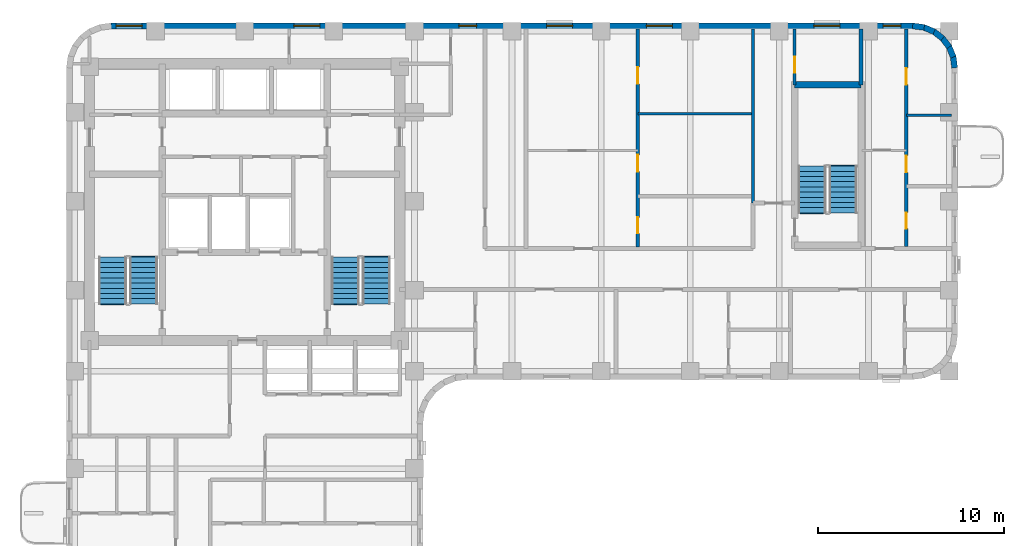
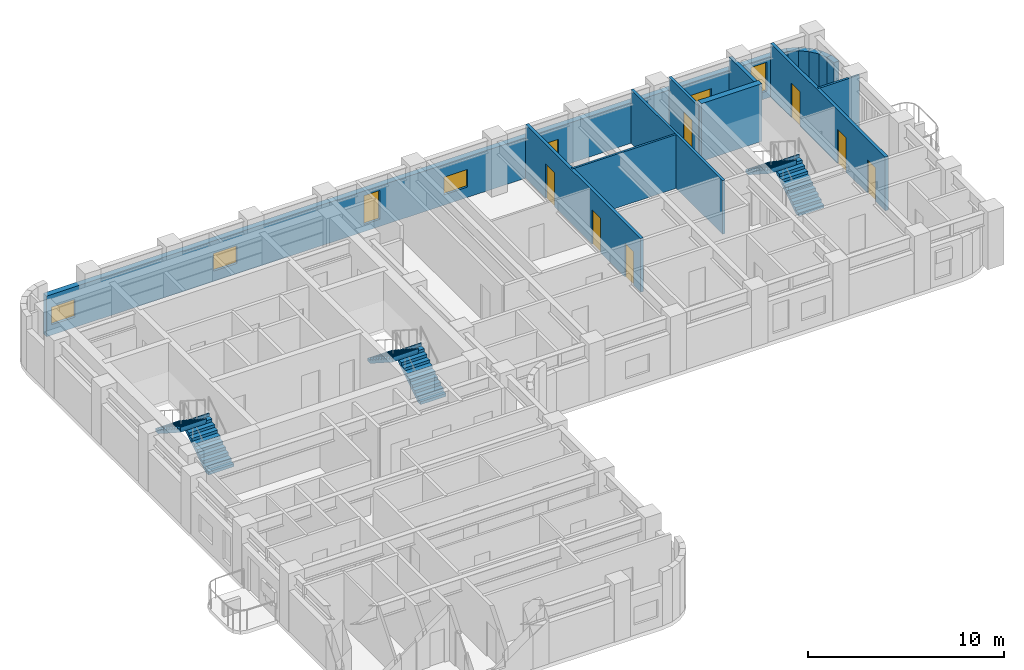
# One storey, part 7 of 9: 15 walls, 7 doors, 7 windows, 6 stair flights, 14 openings, 3 elements without a shape of their own.
"""IFC4 building model written with IfcOpenShell, lengths in metres."""

from ifc_helpers import new_model, si_unit, direction, frame, frame_2d, origin, place, context, subcontext, project, spatial, polyline, rectangle, outline, extrude, material, layer, layer_set, type_object, element, fill, aggregate, save


model = new_model("IFC4")

# Units and contexts
model_context = context("Model", 3, precision=1e-05, world=origin(), true_north=direction((0.0, 1.0)))
body_context = subcontext(model_context, "Body", "Model", "MODEL_VIEW")
ifc_project = project(units=[si_unit("LENGTHUNIT", "METRE"), si_unit("AREAUNIT", "SQUARE_METRE"), si_unit("VOLUMEUNIT", "CUBIC_METRE"), si_unit("PLANEANGLEUNIT", "RADIAN"), si_unit("MASSUNIT", "GRAM", prefix="KILO")], contexts=[model_context])

# Site, building, storey
site_placement = place(None, origin())
site = spatial("IfcSite", under=ifc_project, at=site_placement, CompositionType="ELEMENT")
building_placement = place(site_placement, origin())
building = spatial("IfcBuilding", under=site, at=building_placement, Name="Orvandelia Arch Residences", CompositionType="ELEMENT")
storey_placement = place(building_placement, frame((0.0, 0.0, 128.800048828125)))
storey = spatial("IfcBuildingStorey", under=building, at=storey_placement, Name="L33", CompositionType="ELEMENT", Elevation=128.800048828125)

# Walls
ifc_material_1 = material(Name="Concrete C50/60", Category="concrete")
ifc_layer_1 = layer(ifc_material_1, 0.35009765625, Name="Concrete C50/60", Category="concrete")
ifc_layer_set_1 = layer_set([ifc_layer_1], Name="Concrete C50/60")
wall_type_1 = type_object("IfcWallType", Name="WL-CORE-350", PredefinedType="SHEAR", material=ifc_layer_set_1)
wall_1_placement = place(storey_placement, frame((44.02001953125, 44.659912109375, 0.0), z_axis=(0.0, 0.0, 1.0), x_axis=(1.0, 0.0, 0.0)))
element("IfcWall", 1, at=wall_1_placement, inside=storey, type_object=wall_type_1, Name="East Stair Core Shear Wall L33-N", PredefinedType="SHEAR", context=body_context, shape_type="SweptSolid", body=[
    extrude(rectangle(XDim=3.580078125, YDim=0.35009765625, at=frame_2d((1.7900390625, 0.0))), origin(), (0.0, 0.0, 1.0), 3.599853515625),
])
ifc_material_2 = material(Name="Concrete C40/50", Category="concrete")
ifc_layer_2 = layer(ifc_material_2, 0.199951171875, Name="Concrete C40/50", Category="concrete")
ifc_layer_set_2 = layer_set([ifc_layer_2], Name="Concrete C40/50")
wall_type_2 = type_object("IfcWallType", Name="WL-DEM-200", PredefinedType="SOLIDWALL", material=ifc_layer_set_2)
wall_2_placement = place(storey_placement, frame((47.60009765625, 44.659912109375, 0.0), z_axis=(0.0, 0.0, 1.0), x_axis=(0.0, 1.0, 0.0)))
element("IfcWall", 2, at=wall_2_placement, inside=storey, type_object=wall_type_2, Name="Interior Partition Wall WL-L33-ES-NST3E", PredefinedType="SOLIDWALL", context=body_context, shape_type="SweptSolid", body=[
    extrude(rectangle(XDim=3.02001953125, YDim=0.199951171875, at=frame_2d((1.510009765625, 0.0))), origin(), (0.0, 0.0, 1.0), 3.35986328125),
])

# Wall, openings, windows
ifc_material_3 = material(Name="Precast concrete C40/50", Category="concrete")
ifc_layer_3 = layer(ifc_material_3, 0.320068359375, Name="Precast concrete C40/50", Category="concrete")
ifc_layer_set_3 = layer_set([ifc_layer_3], Name="Precast concrete C40/50")
wall_type_3 = type_object("IfcWallType", Name="WL-EXT-STONE-320", PredefinedType="STANDARD", material=ifc_layer_set_3)
wall_3_placement = place(storey_placement, frame((7.199951171875, 47.840087890625, 0.0), z_axis=(0.0, 0.0, 1.0), x_axis=(1.0, 0.0, 0.0)))
wall_3 = element("IfcWall", 3, at=wall_3_placement, inside=storey, type_object=wall_type_3, Name="Coral-Limestone Precast Facade Wall L33-007", PredefinedType="STANDARD", context=body_context, shape_type="SweptSolid", body=[
    extrude(rectangle(XDim=43.199951171875, YDim=0.320068359375, at=frame_2d((21.60009765625, 0.0))), origin(), (0.0, 0.0, 1.0), 2.5400390625),
])
opening_1_placement = place(wall_3_placement, frame((28.841064453125, 0.0, 0.64990234375)))
opening_1 = element("IfcOpeningElement", 4, at=opening_1_placement, cuts=wall_3, Name="Opening W10", PredefinedType="OPENING", context=body_context, shape_type="SweptSolid", body=[
    extrude(rectangle(XDim=1.39990234375, YDim=1.10009765625, at=frame_2d((0.699951171875, 0.550048828125))), frame((0.0, 0.169921875, 0.0), z_axis=(0.0, -1.0, 0.0), x_axis=(1.0, 0.0, 0.0)), (0.0, 0.0, 1.0), 0.340087890625),
])
opening_2_placement = place(wall_3_placement, frame((18.739990234375, 0.0, 0.449951171875)))
opening_2 = element("IfcOpeningElement", 5, at=opening_2_placement, cuts=wall_3, Name="Opening W4", PredefinedType="OPENING", context=body_context, shape_type="SweptSolid", body=[
    extrude(rectangle(XDim=0.949951171875, YDim=1.800048828125, at=frame_2d((0.47509765625, 0.89990234375))), frame((0.0, 0.169921875, 0.0), z_axis=(0.0, -1.0, 0.0), x_axis=(1.0, 0.0, 0.0)), (0.0, 0.0, 1.0), 0.340087890625),
])
opening_3_placement = place(wall_3_placement, frame((37.862548828125, 0.0, 0.64990234375)))
opening_3 = element("IfcOpeningElement", 6, at=opening_3_placement, cuts=wall_3, Name="Opening W10", PredefinedType="OPENING", context=body_context, shape_type="SweptSolid", body=[
    extrude(rectangle(XDim=1.39990234375, YDim=1.10009765625, at=frame_2d((0.699951171875, 0.550048828125))), frame((0.0, 0.169921875, 0.0), z_axis=(0.0, -1.0, 0.0), x_axis=(1.0, 0.0, 0.0)), (0.0, 0.0, 1.0), 0.340087890625),
])
opening_4_placement = place(wall_3_placement, frame((0.282470703125, 0.0, 0.64990234375)))
opening_4 = element("IfcOpeningElement", 7, at=opening_4_placement, cuts=wall_3, Name="Opening W10", PredefinedType="OPENING", context=body_context, shape_type="SweptSolid", body=[
    extrude(rectangle(XDim=1.39990234375, YDim=1.10009765625, at=frame_2d((0.699951171875, 0.550048828125))), frame((0.0, 0.169921875, 0.0), z_axis=(0.0, -1.0, 0.0), x_axis=(1.0, 0.0, 0.0)), (0.0, 0.0, 1.0), 0.340087890625),
])
opening_5_placement = place(wall_3_placement, frame((9.8525390625, 0.0, 0.64990234375)))
opening_5 = element("IfcOpeningElement", 8, at=opening_5_placement, cuts=wall_3, Name="Opening W10", PredefinedType="OPENING", context=body_context, shape_type="SweptSolid", body=[
    extrude(rectangle(XDim=1.39990234375, YDim=1.10009765625, at=frame_2d((0.699951171875, 0.550048828125))), frame((0.0, 0.169921875, 0.0), z_axis=(0.0, -1.0, 0.0), x_axis=(1.0, 0.0, 0.0)), (0.0, 0.0, 1.0), 0.340087890625),
])
opening_6_placement = place(wall_3_placement, frame((23.467529296875, 0.0, 0.64990234375)))
opening_6 = element("IfcOpeningElement", 9, at=opening_6_placement, cuts=wall_3, Name="Opening W10", PredefinedType="OPENING", context=body_context, shape_type="SweptSolid", body=[
    extrude(rectangle(XDim=1.39990234375, YDim=1.10009765625, at=frame_2d((0.699951171875, 0.550048828125))), frame((0.0, 0.169921875, 0.0), z_axis=(0.0, -1.0, 0.0), x_axis=(1.0, 0.0, 0.0)), (0.0, 0.0, 1.0), 0.340087890625),
])
opening_7_placement = place(wall_3_placement, frame((41.593994140625, 0.0, 0.449951171875)))
opening_7 = element("IfcOpeningElement", 10, at=opening_7_placement, cuts=wall_3, Name="Opening W4", PredefinedType="OPENING", context=body_context, shape_type="SweptSolid", body=[
    extrude(rectangle(XDim=0.949951171875, YDim=1.800048828125, at=frame_2d((0.47509765625, 0.89990234375))), frame((0.0, 0.169921875, 0.0), z_axis=(0.0, -1.0, 0.0), x_axis=(1.0, 0.0, 0.0)), (0.0, 0.0, 1.0), 0.340087890625),
])
ifc_material_4 = material(Name="Tempered Low-E Insulated Glazing", Category="glass")
window_type_1 = type_object("IfcWindowType", Name="WIN-CLR-1400x1100", PartitioningType="SINGLE_PANEL", PredefinedType="WINDOW", material=ifc_material_4)
window_1_placement = place(opening_1_placement, origin())
window_1 = element("IfcWindow", 11, at=window_1_placement, inside=storey, type_object=window_type_1, Name="Recessed Punched Window L33-001", OverallHeight=1.10009765625, OverallWidth=1.39990234375, PartitioningType="SINGLE_PANEL", PredefinedType="WINDOW", context=body_context, shape_type="SweptSolid", body=[
    extrude(rectangle(XDim=1.39990234375, YDim=1.10009765625, at=frame_2d((0.699951171875, 0.550048828125))), frame((0.0, 0.030029296875, 0.0), z_axis=(0.0, -1.0, 0.0), x_axis=(1.0, 0.0, 0.0)), (0.0, 0.0, 1.0), 0.06005859375),
])
fill(opening_1, window_1)
window_2_placement = place(opening_3_placement, origin())
window_2 = element("IfcWindow", 12, at=window_2_placement, inside=storey, type_object=window_type_1, Name="Recessed Punched Window L33-003", OverallHeight=1.10009765625, OverallWidth=1.39990234375, PartitioningType="SINGLE_PANEL", PredefinedType="WINDOW", context=body_context, shape_type="SweptSolid", body=[
    extrude(rectangle(XDim=1.39990234375, YDim=1.10009765625, at=frame_2d((0.699951171875, 0.550048828125))), frame((0.0, 0.030029296875, 0.0), z_axis=(0.0, -1.0, 0.0), x_axis=(1.0, 0.0, 0.0)), (0.0, 0.0, 1.0), 0.06005859375),
])
fill(opening_3, window_2)
window_3_placement = place(opening_4_placement, origin())
window_3 = element("IfcWindow", 13, at=window_3_placement, inside=storey, type_object=window_type_1, Name="Recessed Punched Window L33-004", OverallHeight=1.10009765625, OverallWidth=1.39990234375, PartitioningType="SINGLE_PANEL", PredefinedType="WINDOW", context=body_context, shape_type="SweptSolid", body=[
    extrude(rectangle(XDim=1.39990234375, YDim=1.10009765625, at=frame_2d((0.699951171875, 0.550048828125))), frame((0.0, 0.030029296875, 0.0), z_axis=(0.0, -1.0, 0.0), x_axis=(1.0, 0.0, 0.0)), (0.0, 0.0, 1.0), 0.06005859375),
])
fill(opening_4, window_3)
window_4_placement = place(opening_5_placement, origin())
window_4 = element("IfcWindow", 14, at=window_4_placement, inside=storey, type_object=window_type_1, Name="Recessed Punched Window L33-005", OverallHeight=1.10009765625, OverallWidth=1.39990234375, PartitioningType="SINGLE_PANEL", PredefinedType="WINDOW", context=body_context, shape_type="SweptSolid", body=[
    extrude(rectangle(XDim=1.39990234375, YDim=1.10009765625, at=frame_2d((0.699951171875, 0.550048828125))), frame((0.0, 0.030029296875, 0.0), z_axis=(0.0, -1.0, 0.0), x_axis=(1.0, 0.0, 0.0)), (0.0, 0.0, 1.0), 0.06005859375),
])
fill(opening_5, window_4)
window_5_placement = place(opening_6_placement, origin())
window_5 = element("IfcWindow", 15, at=window_5_placement, inside=storey, type_object=window_type_1, Name="Recessed Punched Window L33-006", OverallHeight=1.10009765625, OverallWidth=1.39990234375, PartitioningType="SINGLE_PANEL", PredefinedType="WINDOW", context=body_context, shape_type="SweptSolid", body=[
    extrude(rectangle(XDim=1.39990234375, YDim=1.10009765625, at=frame_2d((0.699951171875, 0.550048828125))), frame((0.0, 0.030029296875, 0.0), z_axis=(0.0, -1.0, 0.0), x_axis=(1.0, 0.0, 0.0)), (0.0, 0.0, 1.0), 0.06005859375),
])
fill(opening_6, window_5)
window_type_2 = type_object("IfcWindowType", Name="WIN-RES-0950x1800", PartitioningType="SINGLE_PANEL", PredefinedType="WINDOW", material=ifc_material_4)
window_6_placement = place(opening_2_placement, origin())
window_6 = element("IfcWindow", 16, at=window_6_placement, inside=storey, type_object=window_type_2, Name="Recessed Punched Window L33-002", OverallHeight=1.800048828125, OverallWidth=0.949951171875, PartitioningType="SINGLE_PANEL", PredefinedType="WINDOW", context=body_context, shape_type="SweptSolid", body=[
    extrude(rectangle(XDim=0.949951171875, YDim=1.800048828125, at=frame_2d((0.47509765625, 0.89990234375))), frame((0.0, 0.030029296875, 0.0), z_axis=(0.0, -1.0, 0.0), x_axis=(1.0, 0.0, 0.0)), (0.0, 0.0, 1.0), 0.06005859375),
])
fill(opening_2, window_6)
window_7_placement = place(opening_7_placement, origin())
window_7 = element("IfcWindow", 17, at=window_7_placement, inside=storey, type_object=window_type_2, Name="Recessed Punched Window L33-007", OverallHeight=1.800048828125, OverallWidth=0.949951171875, PartitioningType="SINGLE_PANEL", PredefinedType="WINDOW", context=body_context, shape_type="SweptSolid", body=[
    extrude(rectangle(XDim=0.949951171875, YDim=1.800048828125, at=frame_2d((0.47509765625, 0.89990234375))), frame((0.0, 0.030029296875, 0.0), z_axis=(0.0, -1.0, 0.0), x_axis=(1.0, 0.0, 0.0)), (0.0, 0.0, 1.0), 0.06005859375),
])
fill(opening_7, window_7)

# Walls
for number, where, z_axis, x_axis, name in (
    (18, (50.379150390625, 47.84130859375, 0.0), (0.0, 0.0, 1.0), (0.9914410257, -0.130555323746, 0.0), "Coral-Limestone Precast Facade Wall L33-008"),
    (19, (50.9599609375, 47.7705078125, 0.0), (0.0, 0.0, 1.0), (0.92389335771, -0.382650053678, 0.0), "Coral-Limestone Precast Facade Wall L33-009"),
    (20, (51.502685546875, 47.551513671875, 0.0), (0.0, 0.0, 1.0), (0.793405610854, -0.608693302629, 0.0), "Coral-Limestone Precast Facade Wall L33-010"),
    (21, (51.97021484375, 47.19970703125, 0.0), (0.0, 0.0, 1.0), (0.608693302629, -0.793405610854, 0.0), "Coral-Limestone Precast Facade Wall L33-011"),
    (22, (52.330810546875, 46.73876953125, 0.0), (0.0, 0.0, 1.0), (0.382317370307, -0.924031075431, 0.0), "Coral-Limestone Precast Facade Wall L33-012"),
    (23, (52.5595703125, 46.2001953125, 0.0), (0.0, 0.0, 1.0), (0.130555323746, -0.9914410257, 0.0), "Coral-Limestone Precast Facade Wall L33-013"),
):
    element("IfcWall", number, at=place(storey_placement, frame(where, z_axis=z_axis, x_axis=x_axis)), inside=storey, type_object=wall_type_3, Name=name, PredefinedType="STANDARD", context=body_context, shape_type="SweptSolid", body=[
        extrude(rectangle(XDim=0.62646484375, YDim=0.320068359375, at=frame_2d((0.313232421875, 0.0))), origin(), (0.0, 0.0, 1.0), 2.5400390625),
    ])
ifc_material_5 = material(Name="Lightweight Gypsum Stud Partition")
ifc_layer_4 = layer(ifc_material_5, 0.1201171875, Name="Lightweight Gypsum Stud Partition")
ifc_layer_set_4 = layer_set([ifc_layer_4], Name="Lightweight Gypsum Stud Partition")
wall_type_4 = type_object("IfcWallType", Name="WL-PART-120", PredefinedType="PARTITIONING", material=ifc_layer_set_4)
wall_4_placement = place(storey_placement, frame((35.576904296875, 43.10693359375, 0.0), z_axis=(0.0, 0.0, 1.0), x_axis=(1.0, 0.0, 0.0)))
element("IfcWall", 24, at=wall_4_placement, inside=storey, type_object=wall_type_4, Name="Interior Partition Wall WL-L33-U08-H2", PredefinedType="PARTITIONING", context=body_context, shape_type="SweptSolid", body=[
    extrude(rectangle(XDim=6.123046875, YDim=0.1201171875, at=frame_2d((3.0615234375, 0.0))), origin(), (0.0, 0.0, 1.0), 3.35986328125),
])
wall_5_placement = place(storey_placement, frame((50.04296875, 43.02392578125, 0.0), z_axis=(0.0, 0.0, 1.0), x_axis=(1.0, 0.0, 0.0)))
element("IfcWall", 25, at=wall_5_placement, inside=storey, type_object=wall_type_4, Name="Interior Partition Wall WL-L33-U09-H2", PredefinedType="PARTITIONING", context=body_context, shape_type="SweptSolid", body=[
    extrude(rectangle(XDim=2.43701171875, YDim=0.1201171875, at=frame_2d((1.218505859375, 0.0))), origin(), (0.0, 0.0, 1.0), 3.35986328125),
])
ifc_material_6 = material(Name="Acoustic Gypsum Stud Partition")
ifc_layer_5 = layer(ifc_material_6, 0.14990234375, Name="Acoustic Gypsum Stud Partition")
ifc_layer_set_5 = layer_set([ifc_layer_5], Name="Acoustic Gypsum Stud Partition")
wall_type_5 = type_object("IfcWallType", Name="WL-PART-150", PredefinedType="PARTITIONING", material=ifc_layer_set_5)
wall_6_placement = place(storey_placement, frame((41.780029296875, 38.300048828125, 0.0), z_axis=(0.0, 0.0, 1.0), x_axis=(0.0, 1.0, 0.0)))
element("IfcWall", 26, at=wall_6_placement, inside=storey, type_object=wall_type_5, Name="Interior Partition Wall WL-L33-ES-SPKW", PredefinedType="PARTITIONING", context=body_context, shape_type="SweptSolid", body=[
    extrude(rectangle(XDim=9.3798828125, YDim=0.14990234375, at=frame_2d((4.68994140625, 0.0))), origin(), (0.0, 0.0, 1.0), 3.35986328125),
])

# Wall, opening, door
wall_7_placement = place(storey_placement, frame((44.02001953125, 44.659912109375, 0.0), z_axis=(0.0, 0.0, 1.0), x_axis=(0.0, 1.0, 0.0)))
wall_7 = element("IfcWall", 27, at=wall_7_placement, inside=storey, type_object=wall_type_5, Name="Interior Partition Wall WL-L33-ES-NST3W", PredefinedType="PARTITIONING", context=body_context, shape_type="SweptSolid", body=[
    extrude(rectangle(XDim=3.02001953125, YDim=0.14990234375, at=frame_2d((1.510009765625, 0.0))), origin(), (0.0, 0.0, 1.0), 3.35986328125),
])
opening_8_placement = place(wall_7_placement, frame((0.64990234375, 0.0, 0.0)))
opening_8 = element("IfcOpeningElement", 28, at=opening_8_placement, cuts=wall_7, Name="Opening D5", PredefinedType="OPENING", context=body_context, shape_type="SweptSolid", body=[
    extrude(rectangle(XDim=0.8798828125, YDim=2.10009765625, at=frame_2d((0.43994140625, 1.050048828125))), frame((0.0, 0.0849609375, 0.0), z_axis=(0.0, -1.0, 0.0), x_axis=(1.0, 0.0, 0.0)), (0.0, 0.0, 1.0), 0.169921875),
])
ifc_material_7 = material(Name="Painted Galvanised Steel Service Door", Category="steel")
door_type_1 = type_object("IfcDoorType", Name="DR-SRV-880", OperationType="NOTDEFINED", PredefinedType="DOOR", material=ifc_material_7)
door_1_placement = place(opening_8_placement, origin())
door_1 = element("IfcDoor", 29, at=door_1_placement, inside=storey, type_object=door_type_1, Name="DR-L33-ESNST3", OperationType="SINGLE_SWING_RIGHT", OverallHeight=2.10009765625, OverallWidth=0.8798828125, PredefinedType="DOOR", context=body_context, shape_type="SweptSolid", body=[
    extrude(rectangle(XDim=0.8798828125, YDim=2.10009765625, at=frame_2d((0.43994140625, 1.050048828125))), frame((0.0, 0.02490234375, 0.0), z_axis=(0.0, -1.0, 0.0), x_axis=(1.0, 0.0, 0.0)), (0.0, 0.0, 1.0), 0.050048828125),
])
fill(opening_8, door_1)

# Wall, openings, doors
ifc_material_8 = material(Name="Moisture-Resistant Plumbing Wall")
ifc_layer_6 = layer(ifc_material_8, 0.179931640625, Name="Moisture-Resistant Plumbing Wall")
ifc_layer_set_6 = layer_set([ifc_layer_6], Name="Moisture-Resistant Plumbing Wall")
wall_type_6 = type_object("IfcWallType", Name="WL-WET-180", PredefinedType="PLUMBINGWALL", material=ifc_layer_set_6)
wall_8_placement = place(storey_placement, frame((35.576904296875, 35.929931640625, 0.0), z_axis=(0.0, 0.0, 1.0), x_axis=(0.0, 1.0, 0.0)))
wall_8 = element("IfcWall", 30, at=wall_8_placement, inside=storey, type_object=wall_type_6, Name="Interior Partition Wall WL-L33-U08-VT", PredefinedType="PLUMBINGWALL", context=body_context, shape_type="SweptSolid", body=[
    extrude(rectangle(XDim=11.75, YDim=0.179931640625, at=frame_2d((5.875, 0.0))), origin(), (0.0, 0.0, 1.0), 3.35986328125),
])
opening_9_placement = place(wall_8_placement, frame((0.7333984375, 0.0, 0.0)))
opening_9 = element("IfcOpeningElement", 31, at=opening_9_placement, cuts=wall_8, Name="Opening D4", PredefinedType="OPENING", context=body_context, shape_type="SweptSolid", body=[
    extrude(rectangle(XDim=0.860107421875, YDim=2.10009765625, at=frame_2d((0.43017578125, 1.050048828125))), frame((0.0, 0.10009765625, 0.0), z_axis=(0.0, -1.0, 0.0), x_axis=(1.0, 0.0, 0.0)), (0.0, 0.0, 1.0), 0.199951171875),
])
opening_10_placement = place(wall_8_placement, frame((4.063720703125, 0.0, 0.0)))
opening_10 = element("IfcOpeningElement", 32, at=opening_10_placement, cuts=wall_8, Name="Opening D3", PredefinedType="OPENING", context=body_context, shape_type="SweptSolid", body=[
    extrude(rectangle(XDim=0.89990234375, YDim=2.14990234375, at=frame_2d((0.449951171875, 1.074951171875))), frame((0.0, 0.10009765625, 0.0), z_axis=(0.0, -1.0, 0.0), x_axis=(1.0, 0.0, 0.0)), (0.0, 0.0, 1.0), 0.199951171875),
])
opening_11_placement = place(wall_8_placement, frame((8.789306640625, 0.0, 0.0)))
opening_11 = element("IfcOpeningElement", 33, at=opening_11_placement, cuts=wall_8, Name="Opening D3", PredefinedType="OPENING", context=body_context, shape_type="SweptSolid", body=[
    extrude(rectangle(XDim=0.89990234375, YDim=2.14990234375, at=frame_2d((0.449951171875, 1.074951171875))), frame((0.0, 0.10009765625, 0.0), z_axis=(0.0, -1.0, 0.0), x_axis=(1.0, 0.0, 0.0)), (0.0, 0.0, 1.0), 0.199951171875),
])
ifc_material_9 = material(Name="Engineered Timber Flush Door", Category="wood")
door_type_2 = type_object("IfcDoorType", Name="DR-INT-900", OperationType="NOTDEFINED", PredefinedType="DOOR", material=ifc_material_9)
door_2_placement = place(opening_10_placement, origin())
door_2 = element("IfcDoor", 34, at=door_2_placement, inside=storey, type_object=door_type_2, Name="DR-L33-U08-KIT", OperationType="SINGLE_SWING_RIGHT", OverallHeight=2.14990234375, OverallWidth=0.89990234375, PredefinedType="DOOR", context=body_context, shape_type="SweptSolid", body=[
    extrude(rectangle(XDim=0.89990234375, YDim=2.14990234375, at=frame_2d((0.449951171875, 1.074951171875))), frame((0.0, 0.02490234375, 0.0), z_axis=(0.0, -1.0, 0.0), x_axis=(1.0, 0.0, 0.0)), (0.0, 0.0, 1.0), 0.050048828125),
])
fill(opening_10, door_2)
door_3_placement = place(opening_11_placement, origin())
door_3 = element("IfcDoor", 35, at=door_3_placement, inside=storey, type_object=door_type_2, Name="DR-L33-U08-BD1", OperationType="SINGLE_SWING_LEFT", OverallHeight=2.14990234375, OverallWidth=0.89990234375, PredefinedType="DOOR", context=body_context, shape_type="SweptSolid", body=[
    extrude(rectangle(XDim=0.89990234375, YDim=2.14990234375, at=frame_2d((0.449951171875, 1.074951171875))), frame((0.0, 0.02490234375, 0.0), z_axis=(0.0, -1.0, 0.0), x_axis=(1.0, 0.0, 0.0)), (0.0, 0.0, 1.0), 0.050048828125),
])
fill(opening_11, door_3)
ifc_material_10 = material(Name="Moisture-Sealed Timber Bathroom Door", Category="wood")
door_type_3 = type_object("IfcDoorType", Name="DR-WET-900", OperationType="NOTDEFINED", PredefinedType="DOOR", material=ifc_material_10)
door_4_placement = place(opening_9_placement, origin())
door_4 = element("IfcDoor", 36, at=door_4_placement, inside=storey, type_object=door_type_3, Name="DR-L33-U08-BTH", OperationType="SINGLE_SWING_LEFT", OverallHeight=2.10009765625, OverallWidth=0.860107421875, PredefinedType="DOOR", context=body_context, shape_type="SweptSolid", body=[
    extrude(rectangle(XDim=0.860107421875, YDim=2.10009765625, at=frame_2d((0.43017578125, 1.050048828125))), frame((0.0, 0.02490234375, 0.0), z_axis=(0.0, -1.0, 0.0), x_axis=(1.0, 0.0, 0.0)), (0.0, 0.0, 1.0), 0.050048828125),
])
fill(opening_9, door_4)

wall_9_placement = place(storey_placement, frame((50.04296875, 35.949951171875, 0.0), z_axis=(0.0, 0.0, 1.0), x_axis=(0.0, 1.0, 0.0)))
wall_9 = element("IfcWall", 37, at=wall_9_placement, inside=storey, type_object=wall_type_6, Name="Interior Partition Wall WL-L33-U09-VT", PredefinedType="PLUMBINGWALL", context=body_context, shape_type="SweptSolid", body=[
    extrude(rectangle(XDim=11.72998046875, YDim=0.179931640625, at=frame_2d((5.864990234375, 0.0))), origin(), (0.0, 0.0, 1.0), 3.35986328125),
])
opening_12_placement = place(wall_9_placement, frame((0.96923828125, 0.0, 0.0)))
opening_12 = element("IfcOpeningElement", 38, at=opening_12_placement, cuts=wall_9, Name="Opening D4", PredefinedType="OPENING", context=body_context, shape_type="SweptSolid", body=[
    extrude(rectangle(XDim=0.860107421875, YDim=2.10009765625, at=frame_2d((0.43017578125, 1.050048828125))), frame((0.0, 0.10009765625, 0.0), z_axis=(0.0, -1.0, 0.0), x_axis=(1.0, 0.0, 0.0)), (0.0, 0.0, 1.0), 0.199951171875),
])
opening_13_placement = place(wall_9_placement, frame((4.005615234375, 0.0, 0.0)))
opening_13 = element("IfcOpeningElement", 39, at=opening_13_placement, cuts=wall_9, Name="Opening D3", PredefinedType="OPENING", context=body_context, shape_type="SweptSolid", body=[
    extrude(rectangle(XDim=0.89990234375, YDim=2.14990234375, at=frame_2d((0.449951171875, 1.074951171875))), frame((0.0, 0.10009765625, 0.0), z_axis=(0.0, -1.0, 0.0), x_axis=(1.0, 0.0, 0.0)), (0.0, 0.0, 1.0), 0.199951171875),
])
opening_14_placement = place(wall_9_placement, frame((8.7236328125, 0.0, 0.0)))
opening_14 = element("IfcOpeningElement", 40, at=opening_14_placement, cuts=wall_9, Name="Opening D3", PredefinedType="OPENING", context=body_context, shape_type="SweptSolid", body=[
    extrude(rectangle(XDim=0.89990234375, YDim=2.14990234375, at=frame_2d((0.449951171875, 1.074951171875))), frame((0.0, 0.10009765625, 0.0), z_axis=(0.0, -1.0, 0.0), x_axis=(1.0, 0.0, 0.0)), (0.0, 0.0, 1.0), 0.199951171875),
])
door_5_placement = place(opening_13_placement, origin())
door_5 = element("IfcDoor", 41, at=door_5_placement, inside=storey, type_object=door_type_2, Name="DR-L33-U09-KIT", OperationType="SINGLE_SWING_LEFT", OverallHeight=2.14990234375, OverallWidth=0.89990234375, PredefinedType="DOOR", context=body_context, shape_type="SweptSolid", body=[
    extrude(rectangle(XDim=0.89990234375, YDim=2.14990234375, at=frame_2d((0.449951171875, 1.074951171875))), frame((0.0, 0.02490234375, 0.0), z_axis=(0.0, -1.0, 0.0), x_axis=(1.0, 0.0, 0.0)), (0.0, 0.0, 1.0), 0.050048828125),
])
fill(opening_13, door_5)
door_6_placement = place(opening_14_placement, origin())
door_6 = element("IfcDoor", 42, at=door_6_placement, inside=storey, type_object=door_type_2, Name="DR-L33-U09-BD1", OperationType="SINGLE_SWING_RIGHT", OverallHeight=2.14990234375, OverallWidth=0.89990234375, PredefinedType="DOOR", context=body_context, shape_type="SweptSolid", body=[
    extrude(rectangle(XDim=0.89990234375, YDim=2.14990234375, at=frame_2d((0.449951171875, 1.074951171875))), frame((0.0, 0.02490234375, 0.0), z_axis=(0.0, -1.0, 0.0), x_axis=(1.0, 0.0, 0.0)), (0.0, 0.0, 1.0), 0.050048828125),
])
fill(opening_14, door_6)
door_7_placement = place(opening_12_placement, origin())
door_7 = element("IfcDoor", 43, at=door_7_placement, inside=storey, type_object=door_type_3, Name="DR-L33-U09-BTH", OperationType="SINGLE_SWING_RIGHT", OverallHeight=2.10009765625, OverallWidth=0.860107421875, PredefinedType="DOOR", context=body_context, shape_type="SweptSolid", body=[
    extrude(rectangle(XDim=0.860107421875, YDim=2.10009765625, at=frame_2d((0.43017578125, 1.050048828125))), frame((0.0, 0.02490234375, 0.0), z_axis=(0.0, -1.0, 0.0), x_axis=(1.0, 0.0, 0.0)), (0.0, 0.0, 1.0), 0.050048828125),
])
fill(opening_12, door_7)

# Stair, stair flights
stair_type = type_object("IfcStairType", Name="STAIR-RC-DOGLEG", PredefinedType="HALF_TURN_STAIR", material=ifc_material_2)
stair_1_placement = place(storey_placement, origin())
stair_1 = element("IfcStair", 44, at=stair_1_placement, inside=storey, type_object=stair_type, Name="L33 Protected Exit Stair ST-1", PredefinedType="HALF_TURN_STAIR")
stair_flight_type = type_object("IfcStairFlightType", Name="STFLT-RC-1520", PredefinedType="STRAIGHT", material=ifc_material_2)
stair_flight_1_placement = place(storey_placement, frame((8.9599609375, 32.8701171875, 0.0), z_axis=(0.0, 0.0, 1.0), x_axis=(0.0, 1.0, 0.0)))
stair_flight_1 = element("IfcStairFlight", 45, at=stair_flight_1_placement, type_object=stair_flight_type, Name="ST-1 flight 1", NumberOfRisers=10, NumberOfTreads=9, PredefinedType="STRAIGHT", RiserHeight=0.18, TreadLength=0.28, context=body_context, shape_type="SweptSolid", body=[
    extrude(outline(polyline([(0.0, 0.0), (0.0, 0.179931640625), (0.280029296875, 0.179931640625), (0.280029296875, 0.360107421875), (0.56005859375, 0.360107421875), (0.56005859375, 0.5400390625), (0.840087890625, 0.5400390625), (0.840087890625, 0.719970703125), (1.1201171875, 0.719970703125), (1.1201171875, 0.89990234375), (1.39990234375, 0.89990234375), (1.39990234375, 1.080078125), (1.679931640625, 1.080078125), (1.679931640625, 1.260009765625), (1.9599609375, 1.260009765625), (1.9599609375, 1.43994140625), (2.239990234375, 1.43994140625), (2.239990234375, 1.6201171875), (2.52001953125, 1.6201171875), (2.52001953125, 1.800048828125), (2.580078125, 1.800048828125), (2.580078125, 1.6201171875), (2.52001953125, 1.44189453125), (0.277099609375, 0.0), (0.0, 0.0)])), frame((0.0, 0.760009765625, 0.0), z_axis=(0.0, -1.0, 0.0), x_axis=(1.0, 0.0, 0.0)), (0.0, 0.0, 1.0), 1.52001953125),
])
stair_flight_2_placement = place(storey_placement, frame((7.2900390625, 35.389892578125, 1.800048828125), z_axis=(0.0, 0.0, 1.0), x_axis=(0.0, -1.0, 0.0)))
stair_flight_2 = element("IfcStairFlight", 46, at=stair_flight_2_placement, type_object=stair_flight_type, Name="ST-1 flight 2", NumberOfRisers=10, NumberOfTreads=9, PredefinedType="STRAIGHT", RiserHeight=0.18, TreadLength=0.28, context=body_context, shape_type="SweptSolid", body=[
    extrude(outline(polyline([(0.0, 0.0), (0.0, 0.179931640625), (0.280029296875, 0.179931640625), (0.280029296875, 0.360107421875), (0.56005859375, 0.360107421875), (0.56005859375, 0.5400390625), (0.840087890625, 0.5400390625), (0.840087890625, 0.719970703125), (1.1201171875, 0.719970703125), (1.1201171875, 0.89990234375), (1.39990234375, 0.89990234375), (1.39990234375, 1.080078125), (1.679931640625, 1.080078125), (1.679931640625, 1.260009765625), (1.9599609375, 1.260009765625), (1.9599609375, 1.43994140625), (2.239990234375, 1.43994140625), (2.239990234375, 1.6201171875), (2.52001953125, 1.6201171875), (2.52001953125, 1.800048828125), (2.580078125, 1.800048828125), (2.580078125, 1.6201171875), (2.52001953125, 1.44189453125), (0.277099609375, 0.0), (0.0, 0.0)])), frame((0.0, 0.760009765625, 0.0), z_axis=(0.0, -1.0, 0.0), x_axis=(1.0, 0.0, 0.0)), (0.0, 0.0, 1.0), 1.52001953125),
])
aggregate(stair_1, [stair_flight_1, stair_flight_2])

stair_2_placement = place(storey_placement, origin())
stair_2 = element("IfcStair", 47, at=stair_2_placement, inside=storey, type_object=stair_type, Name="L33 Protected Exit Stair ST-2", PredefinedType="HALF_TURN_STAIR")
stair_flight_3_placement = place(storey_placement, frame((21.489990234375, 32.8701171875, 0.0), z_axis=(0.0, 0.0, 1.0), x_axis=(0.0, 1.0, 0.0)))
stair_flight_3 = element("IfcStairFlight", 48, at=stair_flight_3_placement, type_object=stair_flight_type, Name="ST-2 flight 1", NumberOfRisers=10, NumberOfTreads=9, PredefinedType="STRAIGHT", RiserHeight=0.18, TreadLength=0.28, context=body_context, shape_type="SweptSolid", body=[
    extrude(outline(polyline([(0.0, 0.0), (0.0, 0.179931640625), (0.280029296875, 0.179931640625), (0.280029296875, 0.360107421875), (0.56005859375, 0.360107421875), (0.56005859375, 0.5400390625), (0.840087890625, 0.5400390625), (0.840087890625, 0.719970703125), (1.1201171875, 0.719970703125), (1.1201171875, 0.89990234375), (1.39990234375, 0.89990234375), (1.39990234375, 1.080078125), (1.679931640625, 1.080078125), (1.679931640625, 1.260009765625), (1.9599609375, 1.260009765625), (1.9599609375, 1.43994140625), (2.239990234375, 1.43994140625), (2.239990234375, 1.6201171875), (2.52001953125, 1.6201171875), (2.52001953125, 1.800048828125), (2.580078125, 1.800048828125), (2.580078125, 1.6201171875), (2.52001953125, 1.44189453125), (0.277099609375, 0.0), (0.0, 0.0)])), frame((0.0, 0.760009765625, 0.0), z_axis=(0.0, -1.0, 0.0), x_axis=(1.0, 0.0, 0.0)), (0.0, 0.0, 1.0), 1.52001953125),
])
stair_flight_4_placement = place(storey_placement, frame((19.820068359375, 35.389892578125, 1.800048828125), z_axis=(0.0, 0.0, 1.0), x_axis=(0.0, -1.0, 0.0)))
stair_flight_4 = element("IfcStairFlight", 49, at=stair_flight_4_placement, type_object=stair_flight_type, Name="ST-2 flight 2", NumberOfRisers=10, NumberOfTreads=9, PredefinedType="STRAIGHT", RiserHeight=0.18, TreadLength=0.28, context=body_context, shape_type="SweptSolid", body=[
    extrude(outline(polyline([(0.0, 0.0), (0.0, 0.179931640625), (0.280029296875, 0.179931640625), (0.280029296875, 0.360107421875), (0.56005859375, 0.360107421875), (0.56005859375, 0.5400390625), (0.840087890625, 0.5400390625), (0.840087890625, 0.719970703125), (1.1201171875, 0.719970703125), (1.1201171875, 0.89990234375), (1.39990234375, 0.89990234375), (1.39990234375, 1.080078125), (1.679931640625, 1.080078125), (1.679931640625, 1.260009765625), (1.9599609375, 1.260009765625), (1.9599609375, 1.43994140625), (2.239990234375, 1.43994140625), (2.239990234375, 1.6201171875), (2.52001953125, 1.6201171875), (2.52001953125, 1.800048828125), (2.580078125, 1.800048828125), (2.580078125, 1.6201171875), (2.52001953125, 1.44189453125), (0.277099609375, 0.0), (0.0, 0.0)])), frame((0.0, 0.760009765625, 0.0), z_axis=(0.0, -1.0, 0.0), x_axis=(1.0, 0.0, 0.0)), (0.0, 0.0, 1.0), 1.52001953125),
])
aggregate(stair_2, [stair_flight_3, stair_flight_4])

stair_3_placement = place(storey_placement, origin())
stair_3 = element("IfcStair", 50, at=stair_3_placement, inside=storey, type_object=stair_type, Name="L33 East Wing Exit Stair ST-3", PredefinedType="HALF_TURN_STAIR")
stair_flight_5_placement = place(storey_placement, frame((46.639892578125, 37.77001953125, 0.0), z_axis=(0.0, 0.0, 1.0), x_axis=(0.0, 1.0, 0.0)))
stair_flight_5 = element("IfcStairFlight", 51, at=stair_flight_5_placement, type_object=stair_flight_type, Name="ST-3 flight 1", NumberOfRisers=10, NumberOfTreads=9, PredefinedType="STRAIGHT", RiserHeight=0.18, TreadLength=0.28, context=body_context, shape_type="SweptSolid", body=[
    extrude(outline(polyline([(0.0, 0.0), (0.0, 0.179931640625), (0.280029296875, 0.179931640625), (0.280029296875, 0.360107421875), (0.56005859375, 0.360107421875), (0.56005859375, 0.5400390625), (0.840087890625, 0.5400390625), (0.840087890625, 0.719970703125), (1.1201171875, 0.719970703125), (1.1201171875, 0.89990234375), (1.39990234375, 0.89990234375), (1.39990234375, 1.080078125), (1.679931640625, 1.080078125), (1.679931640625, 1.260009765625), (1.9599609375, 1.260009765625), (1.9599609375, 1.43994140625), (2.239990234375, 1.43994140625), (2.239990234375, 1.6201171875), (2.52001953125, 1.6201171875), (2.52001953125, 1.800048828125), (2.580078125, 1.800048828125), (2.580078125, 1.6201171875), (2.52001953125, 1.44189453125), (0.277099609375, 0.0), (0.0, 0.0)])), frame((0.0, 0.760009765625, 0.0), z_axis=(0.0, -1.0, 0.0), x_axis=(1.0, 0.0, 0.0)), (0.0, 0.0, 1.0), 1.52001953125),
])
stair_flight_6_placement = place(storey_placement, frame((44.969970703125, 40.2900390625, 1.800048828125), z_axis=(0.0, 0.0, 1.0), x_axis=(0.0, -1.0, 0.0)))
stair_flight_6 = element("IfcStairFlight", 52, at=stair_flight_6_placement, type_object=stair_flight_type, Name="ST-3 flight 2", NumberOfRisers=10, NumberOfTreads=9, PredefinedType="STRAIGHT", RiserHeight=0.18, TreadLength=0.28, context=body_context, shape_type="SweptSolid", body=[
    extrude(outline(polyline([(0.0, 0.0), (0.0, 0.179931640625), (0.280029296875, 0.179931640625), (0.280029296875, 0.360107421875), (0.56005859375, 0.360107421875), (0.56005859375, 0.5400390625), (0.840087890625, 0.5400390625), (0.840087890625, 0.719970703125), (1.1201171875, 0.719970703125), (1.1201171875, 0.89990234375), (1.39990234375, 0.89990234375), (1.39990234375, 1.080078125), (1.679931640625, 1.080078125), (1.679931640625, 1.260009765625), (1.9599609375, 1.260009765625), (1.9599609375, 1.43994140625), (2.239990234375, 1.43994140625), (2.239990234375, 1.6201171875), (2.52001953125, 1.6201171875), (2.52001953125, 1.800048828125), (2.580078125, 1.800048828125), (2.580078125, 1.6201171875), (2.52001953125, 1.44189453125), (0.277099609375, 0.0), (0.0, 0.0)])), frame((0.0, 0.760009765625, 0.0), z_axis=(0.0, -1.0, 0.0), x_axis=(1.0, 0.0, 0.0)), (0.0, 0.0, 1.0), 1.52001953125),
])
aggregate(stair_3, [stair_flight_5, stair_flight_6])

save(model, "model.ifc")
